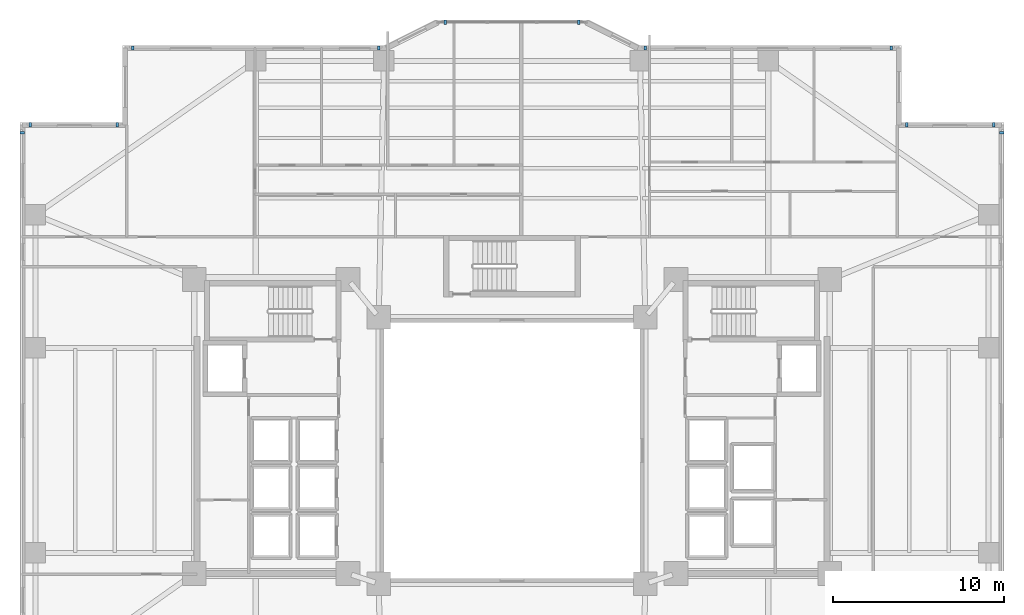
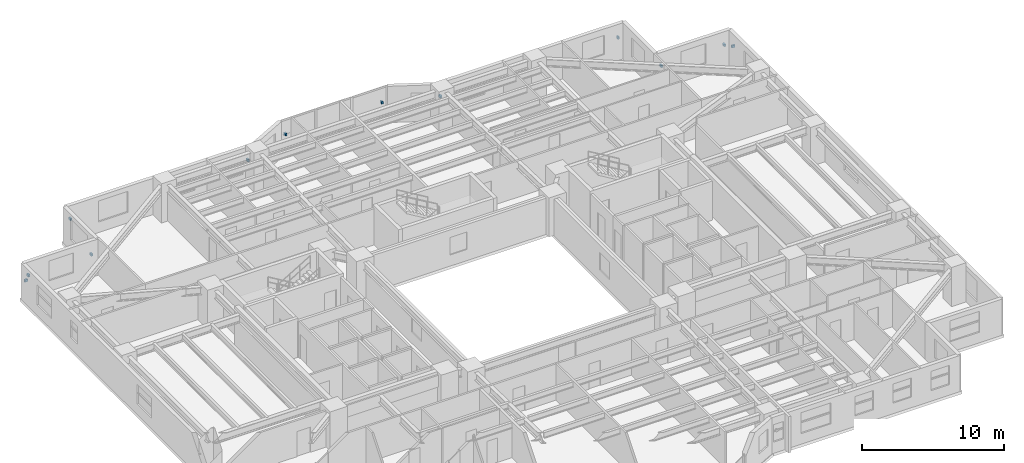
# One storey, part 17 of 20: 12 discrete accessories.
"""IFC4 building model written with IfcOpenShell, lengths in metres."""

from ifc_helpers import new_model, si_unit, direction, frame, origin, origin_2d, place, context, subcontext, project, spatial, rectangle, extrude, material, type_object, element, save


model = new_model("IFC4")

# Units and contexts
model_context = context("Model", 3, precision=1e-05, world=origin(), true_north=direction((0.0, 1.0)))
body_context = subcontext(model_context, "Body", "Model", "MODEL_VIEW")
ifc_project = project(units=[si_unit("LENGTHUNIT", "METRE"), si_unit("AREAUNIT", "SQUARE_METRE"), si_unit("VOLUMEUNIT", "CUBIC_METRE"), si_unit("PLANEANGLEUNIT", "RADIAN"), si_unit("MASSUNIT", "GRAM", prefix="KILO")], contexts=[model_context])

# Site, building, storey
site_placement = place(None, origin())
site = spatial("IfcSite", under=ifc_project, at=site_placement, CompositionType="ELEMENT")
building_placement = place(site_placement, origin())
building = spatial("IfcBuilding", under=site, at=building_placement, Name="Tarnavaz Court Tower", CompositionType="ELEMENT")
storey_placement = place(building_placement, frame((0.0, 0.0, 30.699951171875)))
storey = spatial("IfcBuildingStorey", under=building, at=storey_placement, Name="L07", CompositionType="ELEMENT", Elevation=30.699951171875)

# Discrete accessories
ifc_material = material(Name="Anodised Aluminium 6063-T6", Category="aluminium")
discrete_accessory_type = type_object("IfcDiscreteAccessoryType", Name="DA-BRKT-ALU", PredefinedType="BRACKET", material=ifc_material)
for number, where, z_axis, x_axis, name in (
    (1, (-28.669921875, 18.60009765625, 1.75), (0.0, 0.0, 1.0), (0.0, 1.0, 0.0), "L07 Baguette Outrigger Bracket FBG02-2"),
    (2, (-28.199951171875, 19.070068359375, 1.75), (0.0, 0.0, 1.0), (1.0, 0.0, 0.0), "L07 Baguette Outrigger Bracket FBG03-1"),
    (3, (-23.10009765625, 19.070068359375, 1.75), (0.0, 0.0, 1.0), (1.0, 0.0, 0.0), "L07 Baguette Outrigger Bracket FBG03-2"),
    (4, (-22.199951171875, 23.570068359375, 1.75), (0.0, 0.0, 1.0), (1.0, 0.0, 0.0), "L07 Baguette Outrigger Bracket FBG05-1"),
    (5, (-7.800048828125, 23.570068359375, 1.75), (0.0, 0.0, 1.0), (1.0, 0.0, 0.0), "L07 Baguette Outrigger Bracket FBG05-2"),
    (6, (-3.89990234375, 25.070068359375, 1.7001953125), (0.0, 0.0, 1.0), (1.0, 0.0, 0.0), "L07 Baguette Outrigger Bracket PBG7-1"),
    (7, (3.89990234375, 25.070068359375, 1.7001953125), (0.0, 0.0, 1.0), (1.0, 0.0, 0.0), "L07 Baguette Outrigger Bracket PBG7-2"),
    (8, (7.800048828125, 23.570068359375, 1.75), (0.0, 0.0, 1.0), (1.0, 0.0, 0.0), "L07 Baguette Outrigger Bracket FBG09-1"),
    (9, (22.199951171875, 23.570068359375, 1.75), (0.0, 0.0, 1.0), (1.0, 0.0, 0.0), "L07 Baguette Outrigger Bracket FBG09-2"),
    (10, (23.10009765625, 19.070068359375, 1.75), (0.0, 0.0, 1.0), (1.0, 0.0, 0.0), "L07 Baguette Outrigger Bracket FBG11-1"),
    (11, (28.199951171875, 19.070068359375, 1.75), (0.0, 0.0, 1.0), (1.0, 0.0, 0.0), "L07 Baguette Outrigger Bracket FBG11-2"),
    (12, (28.669921875, 18.60009765625, 1.75), (0.0, 0.0, 1.0), (0.0, -1.0, 0.0), "L07 Baguette Outrigger Bracket FBG12-1"),
):
    element("IfcDiscreteAccessory", number, at=place(storey_placement, frame(where, z_axis=z_axis, x_axis=x_axis)), inside=storey, type_object=discrete_accessory_type, Name=name, PredefinedType="BRACKET", context=body_context, shape_type="SweptSolid", body=[
        extrude(rectangle(XDim=0.139892578125, YDim=0.239990234375, at=origin_2d()), origin(), (0.0, 0.0, 1.0), 0.199951171875),
    ])

save(model, "model.ifc")
